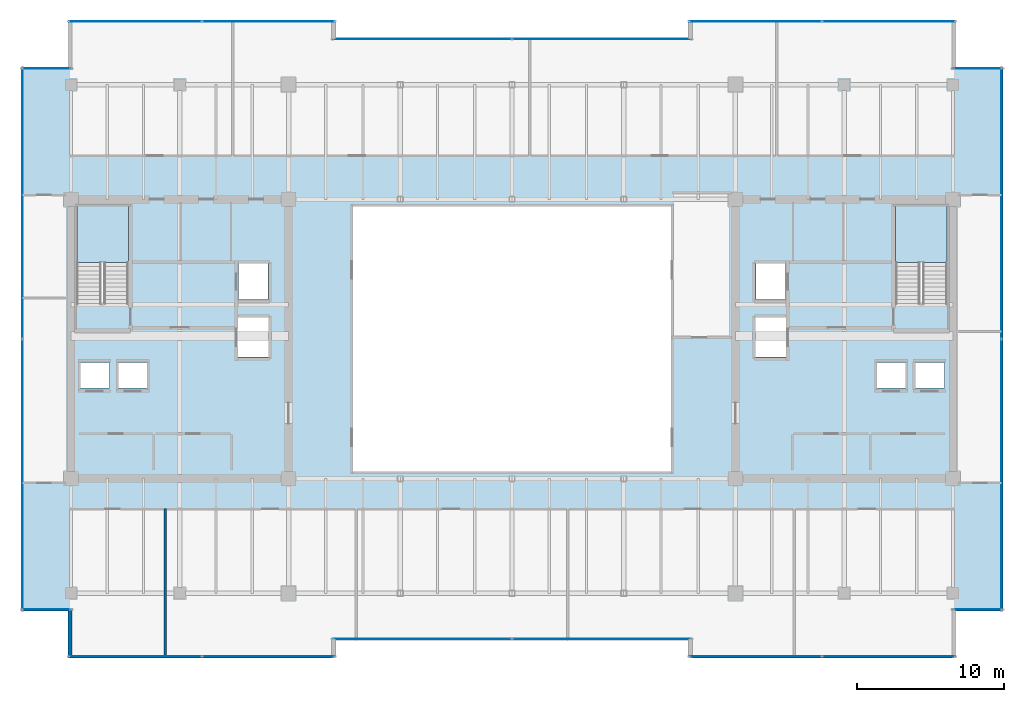
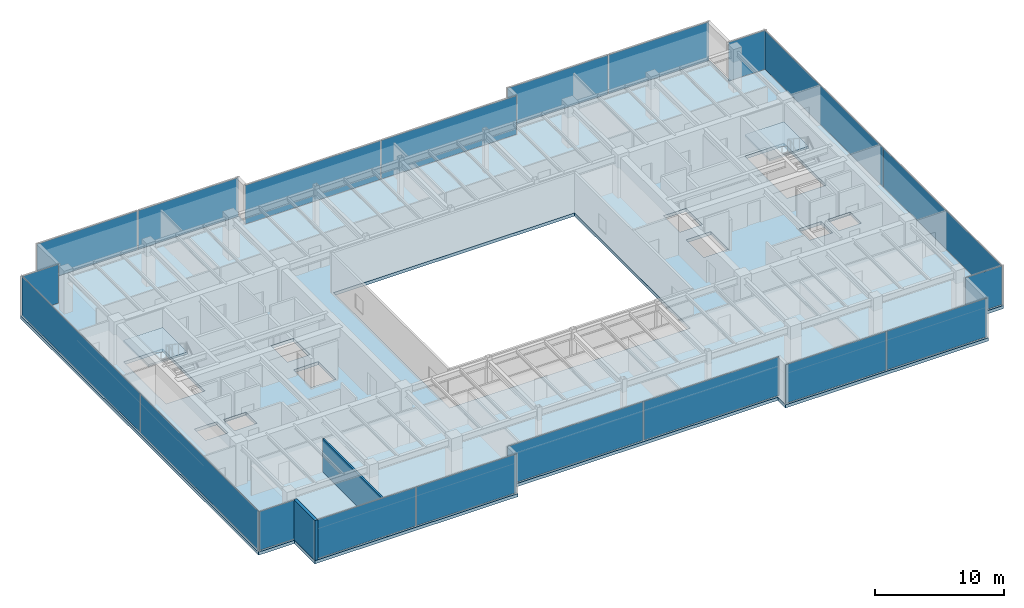
# One storey, part 27 of 35: 20 plates, 3 slabs, 2 walls, 14 elements without a shape of their own.
"""IFC4 building model written with IfcOpenShell, lengths in metres."""

import ifcopenshell
import ifcopenshell.guid

model = None  # the IFC model being written
_history = None  # IfcOwnerHistory: only IFC2X3 demands one
_inside = {}  # id of a spatial element -> (the spatial element, [elements in it])
_under = {}  # id of a project, library or spatial element -> (it, [spatial elements below it])
_declared = {}  # id of a project -> (the project, [libraries it declares])
_typed = {}  # id of a type object -> (the type object, [elements of that type])
_made_of = {}  # id of a material, layer set ... -> (it, [elements and type objects made of it])


def new_model(schema):
    """Start an empty IFC model of exactly this schema.

    Asked for "IFC4X3", IfcOpenShell would pick the latest addendum, in which some entities
    have other attributes; the version numbers below select the first issue.
    IFC2X3 requires an IfcOwnerHistory on every rooted entity: one is made here for all.
    """
    global model, _history
    if schema == "IFC4X3":
        model = ifcopenshell.file(schema_version=(4, 3, 0, 0))
    else:
        model = ifcopenshell.file(schema=schema)
    _inside.clear()
    _under.clear()
    _declared.clear()
    _typed.clear()
    _made_of.clear()
    _history = None
    if model.schema == "IFC2X3":
        org = make("IfcOrganization", Name="unknown")
        user = make(
            "IfcPersonAndOrganization",
            ThePerson=make("IfcPerson", FamilyName="unknown"),
            TheOrganization=org,
        )
        app = make(
            "IfcApplication",
            ApplicationDeveloper=org,
            Version="unknown",
            ApplicationFullName="unknown",
            ApplicationIdentifier="unknown",
        )
        _history = make(
            "IfcOwnerHistory",
            OwningUser=user,
            OwningApplication=app,
            ChangeAction="ADDED",
            CreationDate=0,
        )
    return model


def make(cls, **values):
    """One entity of the class cls with the attributes given. An attribute that is None is left unset."""
    return model.create_entity(
        cls, **{name: value for name, value in values.items() if value is not None}
    )


def rooted(cls, **values):
    """An entity with a GlobalId (a new one), such as an element, a storey or a relation."""
    return make(cls, GlobalId=ifcopenshell.guid.new(), OwnerHistory=_history, **values)


def si_unit(unit_type, name, prefix=None):
    """IfcSIUnit, for example si_unit("LENGTHUNIT", "METRE", prefix="MILLI")."""
    return make("IfcSIUnit", UnitType=unit_type, Prefix=prefix, Name=name)


def assignment(units):
    """IfcUnitAssignment: the units of a project."""
    return None if units is None else make("IfcUnitAssignment", Units=units)


def point(xyz):
    """IfcCartesianPoint."""
    return None if xyz is None else make("IfcCartesianPoint", Coordinates=xyz)


def direction(xyz):
    """IfcDirection."""
    return None if xyz is None else make("IfcDirection", DirectionRatios=xyz)


def frame(location, z_axis=None, x_axis=None):
    """IfcAxis2Placement3D, a coordinate frame: its origin and axes. An axis left out is left unset."""
    return make(
        "IfcAxis2Placement3D",
        Location=point(location),
        Axis=direction(z_axis),
        RefDirection=direction(x_axis),
    )


def frame_2d(location, x_axis=None):
    """IfcAxis2Placement2D, a coordinate frame in the plane: its origin and x axis."""
    return make(
        "IfcAxis2Placement2D", Location=point(location), RefDirection=direction(x_axis)
    )


def origin():
    """The frame at (0, 0, 0) with its axes left unset."""
    return frame((0.0, 0.0, 0.0))


def origin_2d():
    """The frame at (0, 0) in the plane with its x axis left unset."""
    return frame_2d((0.0, 0.0))


def place(relative_to, where):
    """IfcLocalPlacement: puts the frame where relative to a parent placement (None: the world)."""
    return make(
        "IfcLocalPlacement", PlacementRelTo=relative_to, RelativePlacement=where
    )


def context(
    kind, dimensions, precision=None, world=None, true_north=None, identifier=None
):
    """IfcGeometricRepresentationContext, for example the 3D "Model" context."""
    return make(
        "IfcGeometricRepresentationContext",
        ContextIdentifier=identifier,
        ContextType=kind,
        CoordinateSpaceDimension=dimensions,
        Precision=precision,
        WorldCoordinateSystem=world,
        TrueNorth=true_north,
    )


def subcontext(parent, identifier, kind, view, scale=None):
    """IfcGeometricRepresentationSubContext, for example "Body" below "Model"."""
    return make(
        "IfcGeometricRepresentationSubContext",
        ContextIdentifier=identifier,
        ContextType=kind,
        ParentContext=parent,
        TargetScale=scale,
        TargetView=view,
    )


def project(units=None, contexts=None):
    """IfcProject with its units and contexts."""
    return rooted(
        "IfcProject",
        Name="project",
        RepresentationContexts=contexts,
        UnitsInContext=assignment(units),
    )


def spatial(cls, under=None, at=None, **own):
    """A site, building, storey or space (cls), placed at a placement, below another one or the project."""
    s = rooted(cls, ObjectPlacement=at, **own)
    if under is not None:
        _under.setdefault(under.id(), (under, []))[1].append(s)
    return s


def polyline(points):
    """IfcPolyline through the points."""
    return make("IfcPolyline", Points=[point(p) for p in points])


def profile(cls, at=None, kind="AREA", **sizes):
    """A parametric profile (cls). Its sizes go by their IFC names, for example OverallWidth=200.0."""
    return make(cls, ProfileType=kind, Position=at, **sizes)


def rectangle(**sizes):
    """IfcRectangleProfileDef."""
    return profile("IfcRectangleProfileDef", **sizes)


def outline(outer, holes=None, kind="AREA"):
    """IfcArbitraryClosedProfileDef: a profile drawn as a closed curve; with holes, ...WithVoids."""
    if holes is None:
        return make("IfcArbitraryClosedProfileDef", ProfileType=kind, OuterCurve=outer)
    return make(
        "IfcArbitraryProfileDefWithVoids",
        ProfileType=kind,
        OuterCurve=outer,
        InnerCurves=holes,
    )


def extrude(swept, where, along, depth):
    """IfcExtrudedAreaSolid: the profile swept, set in the frame where, extruded along a direction by depth."""
    return make(
        "IfcExtrudedAreaSolid",
        SweptArea=swept,
        Position=where,
        ExtrudedDirection=direction(along),
        Depth=depth,
    )


def shape(context_of_items, identifier, shape_type, items):
    """IfcShapeRepresentation: the items that make up one representation, for example the "Body"."""
    return make(
        "IfcShapeRepresentation",
        ContextOfItems=context_of_items,
        RepresentationIdentifier=identifier,
        RepresentationType=shape_type,
        Items=items,
    )


def source(mapping_origin, context_of_items, identifier, shape_type, items):
    """IfcRepresentationMap: a shape defined once, which mapped items show again and again."""
    return make(
        "IfcRepresentationMap",
        MappingOrigin=mapping_origin,
        MappedRepresentation=shape(context_of_items, identifier, shape_type, items),
    )


def transform(
    local_origin,
    x_axis=None,
    y_axis=None,
    z_axis=None,
    scale=None,
    scale2=None,
    scale3=None,
    uniform=True,
):
    """IfcCartesianTransformationOperator3D, or its non-uniform kind. x_axis, y_axis, z_axis: its Axis1, 2, 3."""
    if uniform:
        return make(
            "IfcCartesianTransformationOperator3D",
            Axis1=direction(x_axis),
            Axis2=direction(y_axis),
            LocalOrigin=point(local_origin),
            Scale=scale,
            Axis3=direction(z_axis),
        )
    return make(
        "IfcCartesianTransformationOperator3DnonUniform",
        Axis1=direction(x_axis),
        Axis2=direction(y_axis),
        LocalOrigin=point(local_origin),
        Scale=scale,
        Axis3=direction(z_axis),
        Scale2=scale2,
        Scale3=scale3,
    )


def mapped(mapping_source, mapping_target):
    """IfcMappedItem: shows the shape of a source again, moved by a transform."""
    return make(
        "IfcMappedItem", MappingSource=mapping_source, MappingTarget=mapping_target
    )


def material(Name=None, Category=None):
    """IfcMaterial."""
    return make("IfcMaterial", Name=Name, Category=Category)


def layer(
    of_material, thickness, ventilated=None, Name=None, Category=None, Priority=None
):
    """IfcMaterialLayer: one layer of a wall or slab, of a material (None: an air gap)."""
    return make(
        "IfcMaterialLayer",
        Material=of_material,
        LayerThickness=thickness,
        IsVentilated=ventilated,
        Name=Name,
        Category=Category,
        Priority=Priority,
    )


def layer_set(layers, Name=None):
    """IfcMaterialLayerSet."""
    return make("IfcMaterialLayerSet", MaterialLayers=layers, LayerSetName=Name)


def made_of(thing, what):
    """Note that an element or type object is made of a material, layer set ...; save() writes the relation."""
    if what is not None:
        _made_of.setdefault(what.id(), (what, []))[1].append(thing)
    return thing


def type_object(cls, material=None, **own):
    """A type object (cls), such as IfcWallType, which elements share."""
    return made_of(rooted(cls, **own), material)


def type_shapes(of_type, sources):
    """Give a type object the sources (RepresentationMaps) that its elements show as mapped items."""
    of_type.RepresentationMaps = sources


def element(
    cls,
    number,
    at=None,
    inside=None,
    cuts=None,
    type_object=None,
    material=None,
    context=None,
    identifier="Body",
    shape_type=None,
    held_by="IfcProductDefinitionShape",
    body=None,
    shapes=None,
    **own,
):
    """One element of the class cls, such as IfcWall. Its Tag is "e" and its number.

    at: its placement. inside: the storey or other place that contains it. cuts: it is an
    opening in that element (IfcRelVoidsElement). A single representation is given by context,
    identifier, shape_type and body (its items); several are given by shapes. held_by: the class
    of the entity that holds the representations. save() writes the other relations.
    """
    e = rooted(cls, Tag="e%d" % number, ObjectPlacement=at, **own)
    if body is not None:
        shapes = [shape(context, identifier, shape_type, body)]
    if shapes is not None:
        e.Representation = make(held_by, Representations=shapes)
    if inside is not None:
        _inside.setdefault(inside.id(), (inside, []))[1].append(e)
    if cuts is not None:
        rooted(
            "IfcRelVoidsElement", RelatingBuildingElement=cuts, RelatedOpeningElement=e
        )
    if type_object is not None:
        _typed.setdefault(type_object.id(), (type_object, []))[1].append(e)
    return made_of(e, material)


def aggregate(whole, parts):
    """IfcRelAggregates: a whole, such as a stair, and the parts it consists of."""
    return rooted("IfcRelAggregates", RelatingObject=whole, RelatedObjects=parts)


def save(model, path):
    """Write the relations noted so far, then the file.

    IfcRelAggregates (storeys below a building ...), IfcRelContainedInSpatialStructure (elements
    in a storey), IfcRelDefinesByType, IfcRelAssociatesMaterial and IfcRelDeclares: one each for
    every whole, place, type object, material and project.
    """
    for whole, parts in _under.values():
        aggregate(whole, parts)
    for where, things in _inside.values():
        rooted(
            "IfcRelContainedInSpatialStructure",
            RelatedElements=things,
            RelatingStructure=where,
        )
    for kind, things in _typed.values():
        rooted("IfcRelDefinesByType", RelatedObjects=things, RelatingType=kind)
    for what, things in _made_of.values():
        rooted("IfcRelAssociatesMaterial", RelatedObjects=things, RelatingMaterial=what)
    for by, libraries in _declared.values():
        rooted("IfcRelDeclares", RelatingContext=by, RelatedDefinitions=libraries)
    model.write(path)


model = new_model("IFC4")

# Units and contexts
model_context = context("Model", 3, precision=1e-05, world=origin(), true_north=direction((0.0, 1.0)))
body_context = subcontext(model_context, "Body", "Model", "MODEL_VIEW")
ifc_project = project(units=[si_unit("LENGTHUNIT", "METRE"), si_unit("AREAUNIT", "SQUARE_METRE"), si_unit("VOLUMEUNIT", "CUBIC_METRE"), si_unit("PLANEANGLEUNIT", "RADIAN"), si_unit("MASSUNIT", "GRAM", prefix="KILO")], contexts=[model_context])

# Site, building, storey
site_placement = place(None, origin())
site = spatial("IfcSite", under=ifc_project, at=site_placement, CompositionType="ELEMENT")
building_placement = place(site_placement, origin())
building = spatial("IfcBuilding", under=site, at=building_placement, Name="Haelvirn Gate Laboratories", CompositionType="ELEMENT")
storey_placement = place(building_placement, frame((0.0, 0.0, 221.89990234375)))
storey = spatial("IfcBuildingStorey", under=building, at=storey_placement, Name="L53", CompositionType="ELEMENT", Elevation=221.89990234375)

# Stair, slab
ifc_material_1 = material(Name="Concrete C40/50", Category="concrete")
stair_type = type_object("IfcStairType", Name="ST-DOG-1650-R22", PredefinedType="HALF_TURN_STAIR", material=ifc_material_1)
stair_1_placement = place(storey_placement, origin())
stair_1 = element("IfcStair", 1, at=stair_1_placement, inside=storey, type_object=stair_type, Name="L53 Escape Stair ST1", PredefinedType="HALF_TURN_STAIR")
ifc_layer_1 = layer(ifc_material_1, 0.199951171875, Name="SL-STAIR-LND")
ifc_layer_set_1 = layer_set([ifc_layer_1], Name="Concrete C40/50")
slab_type_1 = type_object("IfcSlabType", Name="SL-STAIR-LND", PredefinedType="LANDING", material=ifc_layer_set_1)
slab_1_placement = place(storey_placement, frame((0.0, 0.0, 1.85009765625)))
slab_1 = element("IfcSlab", 2, at=slab_1_placement, type_object=slab_type_1, Name="ST1 landing 1", PredefinedType="LANDING", context=body_context, shape_type="SweptSolid", body=[
    extrude(outline(polyline([(11.300048828125, 29.5), (11.300048828125, 33.35009765625), (7.800048828125, 33.35009765625), (7.800048828125, 29.5), (11.300048828125, 29.5)])), origin(), (0.0, 0.0, 1.0), 0.199951171875),
])
aggregate(stair_1, [slab_1])

stair_2_placement = place(storey_placement, origin())
stair_2 = element("IfcStair", 3, at=stair_2_placement, inside=storey, type_object=stair_type, Name="L53 Escape Stair ST2", PredefinedType="HALF_TURN_STAIR")
slab_2_placement = place(storey_placement, frame((0.0, 0.0, 1.85009765625)))
slab_2 = element("IfcSlab", 4, at=slab_2_placement, type_object=slab_type_1, Name="ST2 landing 1", PredefinedType="LANDING", context=body_context, shape_type="SweptSolid", body=[
    extrude(outline(polyline([(67.0, 29.5), (67.0, 33.35009765625), (63.5, 33.35009765625), (63.5, 29.5), (67.0, 29.5)])), origin(), (0.0, 0.0, 1.0), 0.199951171875),
])
aggregate(stair_2, [slab_2])

# Slab
ifc_layer_2 = layer(ifc_material_1, 0.300048828125, Name="SL-Z3-300")
ifc_layer_set_2 = layer_set([ifc_layer_2], Name="Concrete C40/50")
slab_type_2 = type_object("IfcSlabType", Name="SL-Z3-300", PredefinedType="FLOOR", material=ifc_layer_set_2)
slab_3_placement = place(storey_placement, frame((0.0, 0.0, -0.2998046875)))
element("IfcSlab", 5, at=slab_3_placement, inside=storey, type_object=slab_type_2, Name="L53 Structural Slab MAIN", PredefinedType="FLOOR", context=body_context, shape_type="SweptSolid", body=[
    extrude(outline(polyline([(7.199951171875, 2.60009765625), (25.39990234375, 2.60009765625), (25.39990234375, 3.800048828125), (49.39990234375, 3.800048828125), (49.39990234375, 2.60009765625), (67.60009765625, 2.60009765625), (67.60009765625, 5.800048828125), (70.800048828125, 5.800048828125), (70.800048828125, 42.800048828125), (67.60009765625, 42.800048828125), (67.60009765625, 46.0), (49.39990234375, 46.0), (49.39990234375, 44.800048828125), (25.39990234375, 44.800048828125), (25.39990234375, 46.0), (7.199951171875, 46.0), (7.199951171875, 42.800048828125), (4.0, 42.800048828125), (4.0, 5.800048828125), (7.199951171875, 5.800048828125), (7.199951171875, 2.60009765625)]), holes=[polyline([(26.60009765625, 15.300048828125), (48.199951171875, 15.300048828125), (48.199951171875, 33.300048828125), (26.60009765625, 33.300048828125), (26.60009765625, 15.300048828125)]), polyline([(11.300048828125, 26.780029296875), (11.300048828125, 33.35009765625), (7.800048828125, 33.35009765625), (7.800048828125, 26.780029296875), (11.300048828125, 26.780029296875)]), polyline([(67.0, 26.780029296875), (67.0, 33.35009765625), (63.5, 33.35009765625), (63.5, 26.780029296875), (67.0, 26.780029296875)]), polyline([(7.989990234375, 20.969970703125), (10.010009765625, 20.969970703125), (10.010009765625, 22.7099609375), (7.989990234375, 22.7099609375), (7.989990234375, 20.969970703125)]), polyline([(10.590087890625, 20.969970703125), (12.610107421875, 20.969970703125), (12.610107421875, 22.7099609375), (10.590087890625, 22.7099609375), (10.590087890625, 20.969970703125)]), polyline([(18.7900390625, 26.969970703125), (20.81005859375, 26.969970703125), (20.81005859375, 29.510009765625), (18.7900390625, 29.510009765625), (18.7900390625, 26.969970703125)]), polyline([(18.68994140625, 23.070068359375), (20.909912109375, 23.070068359375), (20.909912109375, 25.81005859375), (18.68994140625, 25.81005859375), (18.68994140625, 23.070068359375)]), polyline([(64.7900390625, 20.969970703125), (66.81005859375, 20.969970703125), (66.81005859375, 22.7099609375), (64.7900390625, 22.7099609375), (64.7900390625, 20.969970703125)]), polyline([(62.18994140625, 20.969970703125), (64.2099609375, 20.969970703125), (64.2099609375, 22.7099609375), (62.18994140625, 22.7099609375), (62.18994140625, 20.969970703125)]), polyline([(53.989990234375, 26.969970703125), (56.010009765625, 26.969970703125), (56.010009765625, 29.510009765625), (53.989990234375, 29.510009765625), (53.989990234375, 26.969970703125)]), polyline([(53.889892578125, 23.070068359375), (56.110107421875, 23.070068359375), (56.110107421875, 25.81005859375), (53.889892578125, 25.81005859375), (53.889892578125, 23.070068359375)])]), origin(), (0.0, 0.0, 1.0), 0.2998046875),
])

# Curtain wall, plates
ifc_material_2 = material(Name="Anodised bronze unitised aluminium & triple low-E glass", Category="aluminium")
ifc_layer_3 = layer(ifc_material_2, 0.176025390625, Name="CW-SYS-4")
ifc_layer_set_3 = layer_set([ifc_layer_3], Name="Anodised bronze unitised aluminium & triple low-E glass")
curtain_wall_type_1 = type_object("IfcCurtainWallType", Name="CW-SYS-4", PredefinedType="NOTDEFINED", material=ifc_layer_set_3)
curtain_wall_1_placement = place(storey_placement, origin())
curtain_wall_1 = element("IfcCurtainWall", 6, at=curtain_wall_1_placement, inside=storey, type_object=curtain_wall_type_1, Name="L53 Unitised Curtain Wall CW-L53-P0-E00-1", PredefinedType="NOTDEFINED")
ifc_material_3 = material(Name="Acoustic laminated bronze triple IGU 36 mm", Category="glass")
ifc_layer_4 = layer(ifc_material_3, 0.035888671875, Name="CWP-IGU-36")
ifc_layer_set_4 = layer_set([ifc_layer_4], Name="Acoustic laminated bronze triple IGU 36 mm")
plate_type_1 = type_object("IfcPlateType", Name="CWP-IGU-36", PredefinedType="CURTAIN_PANEL", material=ifc_layer_set_4)
shared_shape_1 = source(origin(), body_context, "Body", "SweptSolid", [
    extrude(rectangle(XDim=8.9951171875, YDim=0.035888671875, at=origin_2d()), origin(), (0.0, 0.0, 1.0), 3.669921875),
])
plate_1_placement = place(storey_placement, frame((11.767578125, 2.699951171875, 0.065185546875), z_axis=(0.0, 0.0, 1.0), x_axis=(1.0, 0.0, 0.0)))
plate_1 = element("IfcPlate", 7, at=plate_1_placement, type_object=plate_type_1, Name="CW4 panel 1.1", PredefinedType="CURTAIN_PANEL", context=body_context, shape_type="MappedRepresentation", body=[
    mapped(shared_shape_1, transform((0.0, 0.0, 0.0), scale=1.0)),
])
plate_2_placement = place(storey_placement, frame((20.83251953125, 2.699951171875, 0.065185546875), z_axis=(0.0, 0.0, 1.0), x_axis=(1.0, 0.0, 0.0)))
plate_2 = element("IfcPlate", 8, at=plate_2_placement, type_object=plate_type_1, Name="CW4 panel 2.1", PredefinedType="CURTAIN_PANEL", context=body_context, shape_type="MappedRepresentation", body=[
    mapped(shared_shape_1, transform((0.0, 0.0, 0.0), scale=1.0)),
])
aggregate(curtain_wall_1, [plate_1, plate_2])

curtain_wall_2_placement = place(storey_placement, origin())
curtain_wall_2 = element("IfcCurtainWall", 9, at=curtain_wall_2_placement, inside=storey, type_object=curtain_wall_type_1, Name="L53 Unitised Curtain Wall CW-L53-P0-E04-1", PredefinedType="NOTDEFINED")
plate_3_placement = place(storey_placement, frame((53.967529296875, 2.699951171875, 0.065185546875), z_axis=(0.0, 0.0, 1.0), x_axis=(1.0, 0.0, 0.0)))
plate_3 = element("IfcPlate", 10, at=plate_3_placement, type_object=plate_type_1, Name="CW4 panel 1.1", PredefinedType="CURTAIN_PANEL", context=body_context, shape_type="MappedRepresentation", body=[
    mapped(shared_shape_1, transform((0.0, 0.0, 0.0), scale=1.0)),
])
plate_4_placement = place(storey_placement, frame((63.032470703125, 2.699951171875, 0.065185546875), z_axis=(0.0, 0.0, 1.0), x_axis=(1.0, 0.0, 0.0)))
plate_4 = element("IfcPlate", 11, at=plate_4_placement, type_object=plate_type_1, Name="CW4 panel 2.1", PredefinedType="CURTAIN_PANEL", context=body_context, shape_type="MappedRepresentation", body=[
    mapped(shared_shape_1, transform((0.0, 0.0, 0.0), scale=1.0)),
])
aggregate(curtain_wall_2, [plate_3, plate_4])

curtain_wall_3_placement = place(storey_placement, origin())
curtain_wall_3 = element("IfcCurtainWall", 12, at=curtain_wall_3_placement, inside=storey, type_object=curtain_wall_type_1, Name="L53 Unitised Curtain Wall CW-L53-P0-E10-1", PredefinedType="NOTDEFINED")
plate_5_placement = place(storey_placement, frame((53.967529296875, 45.89990234375, 0.065185546875), z_axis=(0.0, 0.0, 1.0), x_axis=(1.0, 0.0, 0.0)))
plate_5 = element("IfcPlate", 13, at=plate_5_placement, type_object=plate_type_1, Name="CW4 panel 1.1", PredefinedType="CURTAIN_PANEL", context=body_context, shape_type="MappedRepresentation", body=[
    mapped(shared_shape_1, transform((0.0, 0.0, 0.0), scale=1.0)),
])
plate_6_placement = place(storey_placement, frame((63.032470703125, 45.89990234375, 0.065185546875), z_axis=(0.0, 0.0, 1.0), x_axis=(1.0, 0.0, 0.0)))
plate_6 = element("IfcPlate", 14, at=plate_6_placement, type_object=plate_type_1, Name="CW4 panel 2.1", PredefinedType="CURTAIN_PANEL", context=body_context, shape_type="MappedRepresentation", body=[
    mapped(shared_shape_1, transform((0.0, 0.0, 0.0), scale=1.0)),
])
aggregate(curtain_wall_3, [plate_5, plate_6])

curtain_wall_4_placement = place(storey_placement, origin())
curtain_wall_4 = element("IfcCurtainWall", 15, at=curtain_wall_4_placement, inside=storey, type_object=curtain_wall_type_1, Name="L53 Unitised Curtain Wall CW-L53-P0-E14-1", PredefinedType="NOTDEFINED")
plate_7_placement = place(storey_placement, frame((11.767578125, 45.89990234375, 0.065185546875), z_axis=(0.0, 0.0, 1.0), x_axis=(1.0, 0.0, 0.0)))
plate_7 = element("IfcPlate", 16, at=plate_7_placement, type_object=plate_type_1, Name="CW4 panel 1.1", PredefinedType="CURTAIN_PANEL", context=body_context, shape_type="MappedRepresentation", body=[
    mapped(shared_shape_1, transform((0.0, 0.0, 0.0), scale=1.0)),
])
plate_8_placement = place(storey_placement, frame((20.83251953125, 45.89990234375, 0.065185546875), z_axis=(0.0, 0.0, 1.0), x_axis=(1.0, 0.0, 0.0)))
plate_8 = element("IfcPlate", 17, at=plate_8_placement, type_object=plate_type_1, Name="CW4 panel 2.1", PredefinedType="CURTAIN_PANEL", context=body_context, shape_type="MappedRepresentation", body=[
    mapped(shared_shape_1, transform((0.0, 0.0, 0.0), scale=1.0)),
])
aggregate(curtain_wall_4, [plate_7, plate_8])

curtain_wall_5_placement = place(storey_placement, origin())
curtain_wall_5 = element("IfcCurtainWall", 18, at=curtain_wall_5_placement, inside=storey, type_object=curtain_wall_type_1, Name="L53 Unitised Curtain Wall CW-L53-P0-E02-1", PredefinedType="NOTDEFINED")
shared_shape_2 = source(origin(), body_context, "Body", "SweptSolid", [
    extrude(rectangle(XDim=12.135009765625, YDim=0.035888671875, at=origin_2d()), origin(), (0.0, 0.0, 1.0), 3.669921875),
])
plate_9_placement = place(storey_placement, frame((31.297607421875, 3.89990234375, 0.065185546875), z_axis=(0.0, 0.0, 1.0), x_axis=(1.0, 0.0, 0.0)))
plate_9 = element("IfcPlate", 19, at=plate_9_placement, type_object=plate_type_1, Name="CW4 panel 1.1", PredefinedType="CURTAIN_PANEL", context=body_context, shape_type="MappedRepresentation", body=[
    mapped(shared_shape_2, transform((0.0, 0.0, 0.0), scale=1.0)),
])
plate_10_placement = place(storey_placement, frame((43.50244140625, 3.89990234375, 0.065185546875), z_axis=(0.0, 0.0, 1.0), x_axis=(1.0, 0.0, 0.0)))
plate_10 = element("IfcPlate", 20, at=plate_10_placement, type_object=plate_type_1, Name="CW4 panel 2.1", PredefinedType="CURTAIN_PANEL", context=body_context, shape_type="MappedRepresentation", body=[
    mapped(shared_shape_2, transform((0.0, 0.0, 0.0), scale=1.0)),
])
aggregate(curtain_wall_5, [plate_9, plate_10])

curtain_wall_6_placement = place(storey_placement, origin())
curtain_wall_6 = element("IfcCurtainWall", 21, at=curtain_wall_6_placement, inside=storey, type_object=curtain_wall_type_1, Name="L53 Unitised Curtain Wall CW-L53-P0-E12-1", PredefinedType="NOTDEFINED")
plate_11_placement = place(storey_placement, frame((31.297607421875, 44.699951171875, 0.065185546875), z_axis=(0.0, 0.0, 1.0), x_axis=(1.0, 0.0, 0.0)))
plate_11 = element("IfcPlate", 22, at=plate_11_placement, type_object=plate_type_1, Name="CW4 panel 1.1", PredefinedType="CURTAIN_PANEL", context=body_context, shape_type="MappedRepresentation", body=[
    mapped(shared_shape_2, transform((0.0, 0.0, 0.0), scale=1.0)),
])
plate_12_placement = place(storey_placement, frame((43.50244140625, 44.699951171875, 0.065185546875), z_axis=(0.0, 0.0, 1.0), x_axis=(1.0, 0.0, 0.0)))
plate_12 = element("IfcPlate", 23, at=plate_12_placement, type_object=plate_type_1, Name="CW4 panel 2.1", PredefinedType="CURTAIN_PANEL", context=body_context, shape_type="MappedRepresentation", body=[
    mapped(shared_shape_2, transform((0.0, 0.0, 0.0), scale=1.0)),
])
aggregate(curtain_wall_6, [plate_11, plate_12])

# Curtain wall, plate
ifc_layer_5 = layer(ifc_material_2, 0.181884765625, Name="CW-SYS-5")
ifc_layer_set_5 = layer_set([ifc_layer_5], Name="Anodised bronze unitised aluminium & triple low-E glass")
curtain_wall_type_2 = type_object("IfcCurtainWallType", Name="CW-SYS-5", PredefinedType="NOTDEFINED", material=ifc_layer_set_5)
curtain_wall_7_placement = place(storey_placement, origin())
curtain_wall_7 = element("IfcCurtainWall", 24, at=curtain_wall_7_placement, inside=storey, type_object=curtain_wall_type_2, Name="L53 Unitised Curtain Wall CW-L53-P0-E06-1", PredefinedType="NOTDEFINED")
ifc_material_4 = material(Name="Clear low-iron notched-corner triple IGU 42 mm", Category="glass")
ifc_layer_6 = layer(ifc_material_4, 0.0419921875, Name="CWP-NTC-42")
ifc_layer_set_6 = layer_set([ifc_layer_6], Name="Clear low-iron notched-corner triple IGU 42 mm")
plate_type_2 = type_object("IfcPlateType", Name="CWP-NTC-42", PredefinedType="CURTAIN_PANEL", material=ifc_layer_set_6)
shared_shape_3 = source(origin(), body_context, "Body", "SweptSolid", [
    extrude(rectangle(XDim=3.280029296875, YDim=0.0419921875, at=origin_2d()), origin(), (0.0, 0.0, 1.0), 3.669921875),
])
type_shapes(plate_type_2, [shared_shape_3])
plate_13_placement = place(storey_placement, frame((69.080078125, 5.89990234375, 0.065185546875), z_axis=(0.0, 0.0, 1.0), x_axis=(1.0, 0.0, 0.0)))
plate_13 = element("IfcPlate", 25, at=plate_13_placement, type_object=plate_type_2, Name="CW5 panel 1.1", PredefinedType="CURTAIN_PANEL", context=body_context, shape_type="MappedRepresentation", body=[
    mapped(shared_shape_3, transform((0.0, 0.0, 0.0), scale=1.0)),
])
aggregate(curtain_wall_7, [plate_13])

curtain_wall_8_placement = place(storey_placement, origin())
curtain_wall_8 = element("IfcCurtainWall", 26, at=curtain_wall_8_placement, inside=storey, type_object=curtain_wall_type_2, Name="L53 Unitised Curtain Wall CW-L53-P0-E08-1", PredefinedType="NOTDEFINED")
plate_14_placement = place(storey_placement, frame((69.080078125, 42.699951171875, 0.065185546875), z_axis=(0.0, 0.0, 1.0), x_axis=(1.0, 0.0, 0.0)))
plate_14 = element("IfcPlate", 27, at=plate_14_placement, type_object=plate_type_2, Name="CW5 panel 1.1", PredefinedType="CURTAIN_PANEL", context=body_context, shape_type="MappedRepresentation", body=[
    mapped(shared_shape_3, transform((0.0, 0.0, 0.0), scale=1.0)),
])
aggregate(curtain_wall_8, [plate_14])

curtain_wall_9_placement = place(storey_placement, origin())
curtain_wall_9 = element("IfcCurtainWall", 28, at=curtain_wall_9_placement, inside=storey, type_object=curtain_wall_type_2, Name="L53 Unitised Curtain Wall CW-L53-P0-E16-1", PredefinedType="NOTDEFINED")
plate_15_placement = place(storey_placement, frame((5.719970703125, 42.699951171875, 0.065185546875), z_axis=(0.0, 0.0, 1.0), x_axis=(1.0, 0.0, 0.0)))
plate_15 = element("IfcPlate", 29, at=plate_15_placement, type_object=plate_type_2, Name="CW5 panel 1.1", PredefinedType="CURTAIN_PANEL", context=body_context, shape_type="MappedRepresentation", body=[
    mapped(shared_shape_3, transform((0.0, 0.0, 0.0), scale=1.0)),
])
aggregate(curtain_wall_9, [plate_15])

curtain_wall_10_placement = place(storey_placement, origin())
curtain_wall_10 = element("IfcCurtainWall", 30, at=curtain_wall_10_placement, inside=storey, type_object=curtain_wall_type_2, Name="L53 Unitised Curtain Wall CW-L53-P0-E18-1", PredefinedType="NOTDEFINED")
plate_16_placement = place(storey_placement, frame((5.719970703125, 5.89990234375, 0.065185546875), z_axis=(0.0, 0.0, 1.0), x_axis=(1.0, 0.0, 0.0)))
plate_16 = element("IfcPlate", 31, at=plate_16_placement, type_object=plate_type_2, Name="CW5 panel 1.1", PredefinedType="CURTAIN_PANEL", context=body_context, shape_type="MappedRepresentation", body=[
    mapped(shared_shape_3, transform((0.0, 0.0, 0.0), scale=1.0)),
])
aggregate(curtain_wall_10, [plate_16])

# Curtain wall, plates
curtain_wall_11_placement = place(storey_placement, origin())
curtain_wall_11 = element("IfcCurtainWall", 32, at=curtain_wall_11_placement, inside=storey, type_object=curtain_wall_type_1, Name="L53 Unitised Curtain Wall CW-L53-P0-E07", PredefinedType="NOTDEFINED")
shared_shape_4 = source(origin(), body_context, "Body", "SweptSolid", [
    extrude(rectangle(XDim=18.39501953125, YDim=0.035888671875, at=origin_2d()), origin(), (0.0, 0.0, 1.0), 3.669921875),
])
type_shapes(plate_type_1, [shared_shape_1, shared_shape_2, shared_shape_4])
plate_17_placement = place(storey_placement, frame((70.699951171875, 15.0673828125, 0.065185546875), z_axis=(0.0, 0.0, 1.0), x_axis=(0.0, 1.0, 0.0)))
plate_17 = element("IfcPlate", 33, at=plate_17_placement, type_object=plate_type_1, Name="CW4 panel 1.1", PredefinedType="CURTAIN_PANEL", context=body_context, shape_type="MappedRepresentation", body=[
    mapped(shared_shape_4, transform((0.0, 0.0, 0.0), scale=1.0)),
])
plate_18_placement = place(storey_placement, frame((70.699951171875, 33.532470703125, 0.065185546875), z_axis=(0.0, 0.0, 1.0), x_axis=(0.0, 1.0, 0.0)))
plate_18 = element("IfcPlate", 34, at=plate_18_placement, type_object=plate_type_1, Name="CW4 panel 2.1", PredefinedType="CURTAIN_PANEL", context=body_context, shape_type="MappedRepresentation", body=[
    mapped(shared_shape_4, transform((0.0, 0.0, 0.0), scale=1.0)),
])
aggregate(curtain_wall_11, [plate_17, plate_18])

curtain_wall_12_placement = place(storey_placement, origin())
curtain_wall_12 = element("IfcCurtainWall", 35, at=curtain_wall_12_placement, inside=storey, type_object=curtain_wall_type_1, Name="L53 Unitised Curtain Wall CW-L53-P0-E17", PredefinedType="NOTDEFINED")
plate_19_placement = place(storey_placement, frame((4.10009765625, 33.532470703125, 0.065185546875), z_axis=(0.0, 0.0, 1.0), x_axis=(0.0, -1.0, 0.0)))
plate_19 = element("IfcPlate", 36, at=plate_19_placement, type_object=plate_type_1, Name="CW4 panel 1.1", PredefinedType="CURTAIN_PANEL", context=body_context, shape_type="MappedRepresentation", body=[
    mapped(shared_shape_4, transform((0.0, 0.0, 0.0), scale=1.0)),
])
plate_20_placement = place(storey_placement, frame((4.10009765625, 15.0673828125, 0.065185546875), z_axis=(0.0, 0.0, 1.0), x_axis=(0.0, -1.0, 0.0)))
plate_20 = element("IfcPlate", 37, at=plate_20_placement, type_object=plate_type_1, Name="CW4 panel 2.1", PredefinedType="CURTAIN_PANEL", context=body_context, shape_type="MappedRepresentation", body=[
    mapped(shared_shape_4, transform((0.0, 0.0, 0.0), scale=1.0)),
])
aggregate(curtain_wall_12, [plate_19, plate_20])

# Walls
ifc_material_5 = material(Name="Thermally-broken bronze aluminium rainscreen & mineral wool", Category="aluminium")
ifc_layer_7 = layer(ifc_material_5, 0.280029296875, Name="EW-TERR-280")
ifc_layer_set_7 = layer_set([ifc_layer_7], Name="Thermally-broken bronze aluminium rainscreen & mineral wool")
wall_type_1 = type_object("IfcWallType", Name="EW-TERR-280", PredefinedType="STANDARD", material=ifc_layer_set_7)
wall_1_placement = place(storey_placement, frame((7.340087890625, 5.887939453125, 0.0), z_axis=(0.0, 0.0, 1.0), x_axis=(0.0, -1.0, 0.0)))
element("IfcWall", 38, at=wall_1_placement, inside=storey, type_object=wall_type_1, Name="L53 Atrium Recess Bronze Return Wall 19", PredefinedType="STANDARD", context=body_context, shape_type="SweptSolid", body=[
    extrude(rectangle(XDim=3.287841796875, YDim=0.280029296875, at=frame_2d((1.64404296875, 0.0))), origin(), (0.0, 0.0, 1.0), 3.800048828125),
])
ifc_material_6 = material(Name="Double-layer acoustic gypsum laboratory partition", Category="gypsum")
ifc_layer_8 = layer(ifc_material_6, 0.159912109375, Name="IW-ACOUST-160")
ifc_layer_set_8 = layer_set([ifc_layer_8], Name="Double-layer acoustic gypsum laboratory partition")
wall_type_2 = type_object("IfcWallType", Name="IW-ACOUST-160", PredefinedType="PARTITIONING", material=ifc_layer_set_8)
wall_2_placement = place(storey_placement, frame((13.800048828125, 2.7099609375, 0.0), z_axis=(0.0, 0.0, 1.0), x_axis=(0.0, 1.0, 0.0)))
element("IfcWall", 39, at=wall_2_placement, inside=storey, type_object=wall_type_2, Name="L53 Interior Wall IW-L53-SDIV-01", PredefinedType="PARTITIONING", context=body_context, shape_type="SweptSolid", body=[
    extrude(rectangle(XDim=10.030029296875, YDim=0.159912109375, at=frame_2d((5.01513671875, 0.0))), origin(), (0.0, 0.0, 1.0), 3.135009765625),
])

save(model, "model.ifc")
